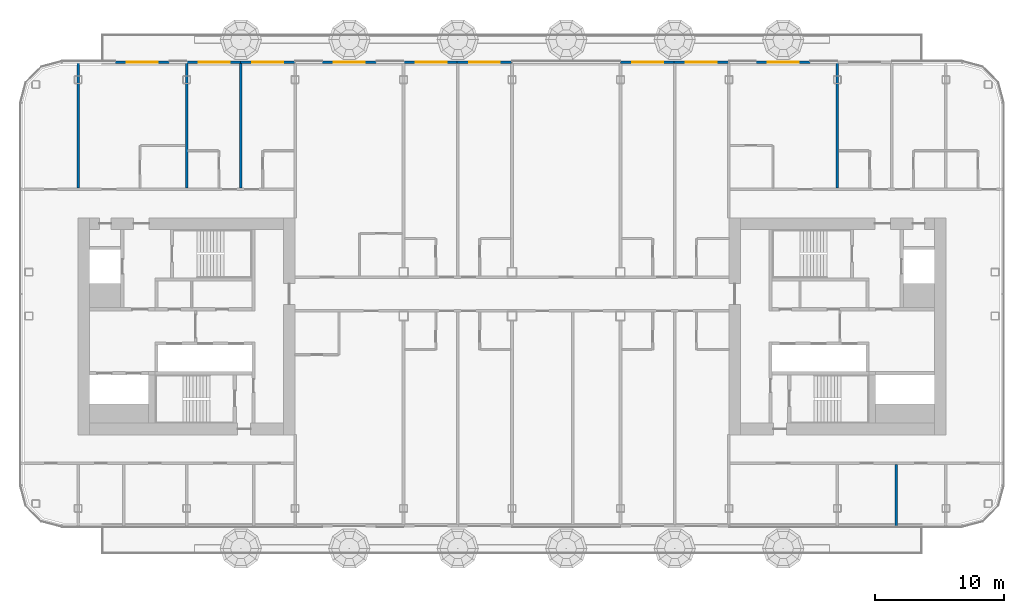
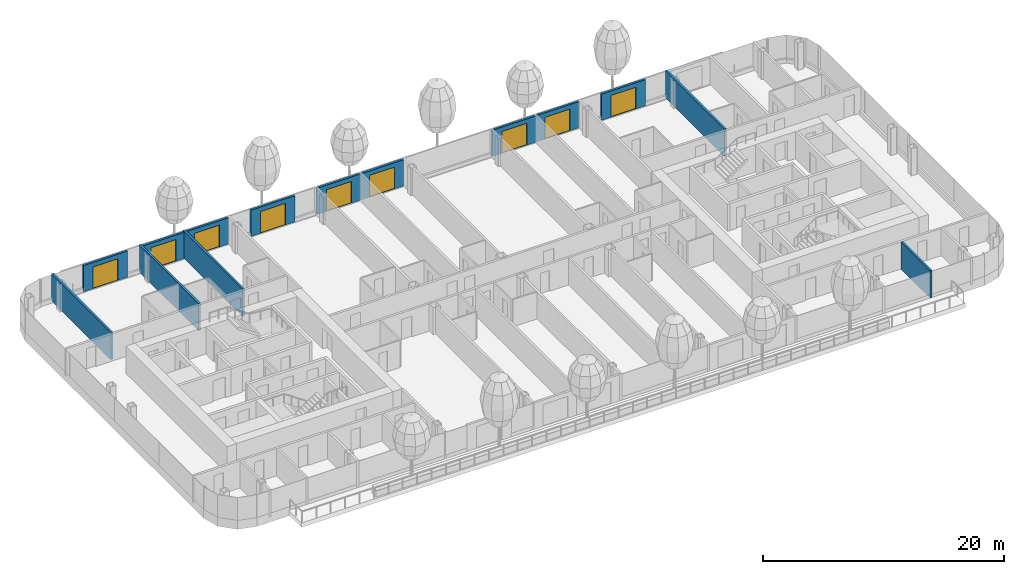
# One storey, part 14 of 28: 14 walls, 9 doors, 9 openings, 1 element without a shape of its own.
"""IFC4 building model written with IfcOpenShell, lengths in metres."""

from ifc_helpers import new_model, si_unit, direction, frame, frame_2d, origin, place, context, subcontext, project, spatial, rectangle, extrude, material, layer, layer_set, type_object, element, fill, aggregate, save


model = new_model("IFC4")

# Units and contexts
model_context = context("Model", 3, precision=1e-05, world=origin(), true_north=direction((0.0, 1.0)))
body_context = subcontext(model_context, "Body", "Model", "MODEL_VIEW")
ifc_project = project(units=[si_unit("LENGTHUNIT", "METRE"), si_unit("AREAUNIT", "SQUARE_METRE"), si_unit("VOLUMEUNIT", "CUBIC_METRE"), si_unit("PLANEANGLEUNIT", "RADIAN"), si_unit("MASSUNIT", "GRAM", prefix="KILO")], contexts=[model_context])

# Site, building, storey
site_placement = place(None, origin())
site = spatial("IfcSite", under=ifc_project, at=site_placement, CompositionType="ELEMENT")
building_placement = place(site_placement, origin())
building = spatial("IfcBuilding", under=site, at=building_placement, Name="Hakoniwa Tower and Hamabe Station Hall", CompositionType="ELEMENT")
storey_placement = place(building_placement, frame((0.0, 0.0, 193.0)))
storey = spatial("IfcBuildingStorey", under=building, at=storey_placement, Name="L54", CompositionType="ELEMENT", Elevation=193.0)

# Curtain wall, walls, openings, doors
ifc_material_1 = material(Name="Dark low-e laminated glass", Category="glass")
ifc_layer_1 = layer(ifc_material_1, 0.199951171875)
ifc_layer_set_1 = layer_set([ifc_layer_1], Name="CW-1 UNITISED GUEST")
curtain_wall_type = type_object("IfcCurtainWallType", Name="CW-1 UNITISED GUEST", PredefinedType="NOTDEFINED", material=ifc_layer_set_1)
curtain_wall_placement = place(storey_placement, origin())
curtain_wall = element("IfcCurtainWall", 1, at=curtain_wall_placement, inside=storey, type_object=curtain_wall_type, Name="CW-1 curtain wall", PredefinedType="NOTDEFINED")
ifc_material_2 = material(Name="Dark glass-faced aluminium panel", Category="aluminium")
ifc_layer_2 = layer(ifc_material_2, 0.199951171875)
ifc_layer_set_2 = layer_set([ifc_layer_2], Name="DOOR BAY WALL")
wall_type_1 = type_object("IfcWallType", Name="DOOR BAY WALL", PredefinedType="NOTDEFINED", material=ifc_layer_set_2)
wall_1_placement = place(storey_placement, frame((23.110107421875, 20.449951171875, 0.0), z_axis=(0.0, 0.0, 1.0), x_axis=(-1.0, 0.0, 0.0)))
wall_1 = element("IfcWall", 2, at=wall_1_placement, type_object=wall_type_1, Name="Door bay wall", PredefinedType="NOTDEFINED", context=body_context, shape_type="SweptSolid", body=[
    extrude(rectangle(XDim=4.22021484375, YDim=0.199951171875, at=frame_2d((2.110107421875, 0.0))), origin(), (0.0, 0.0, 1.0), 2.64990234375),
])
opening_1_placement = place(wall_1_placement, frame((0.909912109375, 0.0, 0.0)))
opening_1 = element("IfcOpeningElement", 3, at=opening_1_placement, cuts=wall_1, Name="Opening BD-N03-11", PredefinedType="OPENING", context=body_context, shape_type="SweptSolid", body=[
    extrude(rectangle(XDim=2.39990234375, YDim=2.199951171875, at=frame_2d((1.199951171875, 1.10009765625))), frame((0.0, 0.10986328125, 0.0), z_axis=(0.0, -1.0, 0.0), x_axis=(1.0, 0.0, 0.0)), (0.0, 0.0, 1.0), 0.219970703125),
])
ifc_material_3 = material(Name="Dark low-e laminated glass", Category="glass")
door_type = type_object("IfcDoorType", Name="BALCONY SLIDING DOOR 2400X2200", OperationType="SLIDING_TO_LEFT", PredefinedType="DOOR", material=ifc_material_3)
door_1_placement = place(opening_1_placement, frame((2.39990234375, 0.0, 0.0), z_axis=(0.0, 0.0, 1.0), x_axis=(-1.0, 0.0, 0.0)))
door_1 = element("IfcDoor", 4, at=door_1_placement, inside=storey, type_object=door_type, Name="Balcony sliding door", OperationType="SLIDING_TO_LEFT", OverallHeight=2.199951171875, OverallWidth=2.39990234375, PredefinedType="DOOR", context=body_context, shape_type="SweptSolid", body=[
    extrude(rectangle(XDim=2.39990234375, YDim=2.199951171875, at=frame_2d((1.199951171875, 1.10009765625))), frame((0.0, 0.02490234375, 0.0), z_axis=(0.0, -1.0, 0.0), x_axis=(1.0, 0.0, 0.0)), (0.0, 0.0, 1.0), 0.050048828125),
])
fill(opening_1, door_1)
wall_2_placement = place(storey_placement, frame((16.780029296875, 20.449951171875, 0.0), z_axis=(0.0, 0.0, 1.0), x_axis=(-1.0, 0.0, 0.0)))
wall_2 = element("IfcWall", 5, at=wall_2_placement, type_object=wall_type_1, Name="Door bay wall", PredefinedType="NOTDEFINED", context=body_context, shape_type="SweptSolid", body=[
    extrude(rectangle(XDim=4.219970703125, YDim=0.199951171875, at=frame_2d((2.10986328125, 0.0))), origin(), (0.0, 0.0, 1.0), 2.64990234375),
])
opening_2_placement = place(wall_2_placement, frame((0.909912109375, 0.0, 0.0)))
opening_2 = element("IfcOpeningElement", 6, at=opening_2_placement, cuts=wall_2, Name="Opening BD-N03-5", PredefinedType="OPENING", context=body_context, shape_type="SweptSolid", body=[
    extrude(rectangle(XDim=2.39990234375, YDim=2.199951171875, at=frame_2d((1.199951171875, 1.10009765625))), frame((0.0, 0.10986328125, 0.0), z_axis=(0.0, -1.0, 0.0), x_axis=(1.0, 0.0, 0.0)), (0.0, 0.0, 1.0), 0.219970703125),
])
door_2_placement = place(opening_2_placement, frame((2.39990234375, 0.0, 0.0), z_axis=(0.0, 0.0, 1.0), x_axis=(-1.0, 0.0, 0.0)))
door_2 = element("IfcDoor", 7, at=door_2_placement, inside=storey, type_object=door_type, Name="Balcony sliding door", OperationType="SLIDING_TO_LEFT", OverallHeight=2.199951171875, OverallWidth=2.39990234375, PredefinedType="DOOR", context=body_context, shape_type="SweptSolid", body=[
    extrude(rectangle(XDim=2.39990234375, YDim=2.199951171875, at=frame_2d((1.199951171875, 1.10009765625))), frame((0.0, 0.02490234375, 0.0), z_axis=(0.0, -1.0, 0.0), x_axis=(1.0, 0.0, 0.0)), (0.0, 0.0, 1.0), 0.050048828125),
])
fill(opening_2, door_2)
wall_3_placement = place(storey_placement, frame((12.639892578125, 20.449951171875, 0.0), z_axis=(0.0, 0.0, 1.0), x_axis=(-1.0, 0.0, 0.0)))
wall_3 = element("IfcWall", 8, at=wall_3_placement, type_object=wall_type_1, Name="Door bay wall", PredefinedType="NOTDEFINED", context=body_context, shape_type="SweptSolid", body=[
    extrude(rectangle(XDim=4.219970703125, YDim=0.199951171875, at=frame_2d((2.10986328125, 0.0))), origin(), (0.0, 0.0, 1.0), 2.64990234375),
])
opening_3_placement = place(wall_3_placement, frame((0.909912109375, 0.0, 0.0)))
opening_3 = element("IfcOpeningElement", 9, at=opening_3_placement, cuts=wall_3, Name="Opening BD-N03-4", PredefinedType="OPENING", context=body_context, shape_type="SweptSolid", body=[
    extrude(rectangle(XDim=2.39990234375, YDim=2.199951171875, at=frame_2d((1.199951171875, 1.10009765625))), frame((0.0, 0.10986328125, 0.0), z_axis=(0.0, -1.0, 0.0), x_axis=(1.0, 0.0, 0.0)), (0.0, 0.0, 1.0), 0.219970703125),
])
door_3_placement = place(opening_3_placement, frame((2.39990234375, 0.0, 0.0), z_axis=(0.0, 0.0, 1.0), x_axis=(-1.0, 0.0, 0.0)))
door_3 = element("IfcDoor", 10, at=door_3_placement, inside=storey, type_object=door_type, Name="Balcony sliding door", OperationType="SLIDING_TO_LEFT", OverallHeight=2.199951171875, OverallWidth=2.39990234375, PredefinedType="DOOR", context=body_context, shape_type="SweptSolid", body=[
    extrude(rectangle(XDim=2.39990234375, YDim=2.199951171875, at=frame_2d((1.199951171875, 1.10009765625))), frame((0.0, 0.02490234375, 0.0), z_axis=(0.0, -1.0, 0.0), x_axis=(1.0, 0.0, 0.0)), (0.0, 0.0, 1.0), 0.050048828125),
])
fill(opening_3, door_3)
wall_4_placement = place(storey_placement, frame((-0.02001953125, 20.449951171875, 0.0), z_axis=(0.0, 0.0, 1.0), x_axis=(-1.0, 0.0, 0.0)))
wall_4 = element("IfcWall", 11, at=wall_4_placement, type_object=wall_type_1, Name="Door bay wall", PredefinedType="NOTDEFINED", context=body_context, shape_type="SweptSolid", body=[
    extrude(rectangle(XDim=4.219970703125, YDim=0.199951171875, at=frame_2d((2.10986328125, 0.0))), origin(), (0.0, 0.0, 1.0), 2.64990234375),
])
opening_4_placement = place(wall_4_placement, frame((0.909912109375, 0.0, 0.0)))
opening_4 = element("IfcOpeningElement", 12, at=opening_4_placement, cuts=wall_4, Name="Opening BD-N03-3", PredefinedType="OPENING", context=body_context, shape_type="SweptSolid", body=[
    extrude(rectangle(XDim=2.39990234375, YDim=2.199951171875, at=frame_2d((1.199951171875, 1.10009765625))), frame((0.0, 0.10986328125, 0.0), z_axis=(0.0, -1.0, 0.0), x_axis=(1.0, 0.0, 0.0)), (0.0, 0.0, 1.0), 0.219970703125),
])
door_4_placement = place(opening_4_placement, frame((2.39990234375, 0.0, 0.0), z_axis=(0.0, 0.0, 1.0), x_axis=(-1.0, 0.0, 0.0)))
door_4 = element("IfcDoor", 13, at=door_4_placement, inside=storey, type_object=door_type, Name="Balcony sliding door", OperationType="SLIDING_TO_LEFT", OverallHeight=2.199951171875, OverallWidth=2.39990234375, PredefinedType="DOOR", context=body_context, shape_type="SweptSolid", body=[
    extrude(rectangle(XDim=2.39990234375, YDim=2.199951171875, at=frame_2d((1.199951171875, 1.10009765625))), frame((0.0, 0.02490234375, 0.0), z_axis=(0.0, -1.0, 0.0), x_axis=(1.0, 0.0, 0.0)), (0.0, 0.0, 1.0), 0.050048828125),
])
fill(opening_4, door_4)
wall_5_placement = place(storey_placement, frame((-4.159912109375, 20.449951171875, 0.0), z_axis=(0.0, 0.0, 1.0), x_axis=(-1.0, 0.0, 0.0)))
wall_5 = element("IfcWall", 14, at=wall_5_placement, type_object=wall_type_1, Name="Door bay wall", PredefinedType="NOTDEFINED", context=body_context, shape_type="SweptSolid", body=[
    extrude(rectangle(XDim=4.219970703125, YDim=0.199951171875, at=frame_2d((2.10986328125, 0.0))), origin(), (0.0, 0.0, 1.0), 2.64990234375),
])
opening_5_placement = place(wall_5_placement, frame((0.909912109375, 0.0, 0.0)))
opening_5 = element("IfcOpeningElement", 15, at=opening_5_placement, cuts=wall_5, Name="Opening BD-N03-2", PredefinedType="OPENING", context=body_context, shape_type="SweptSolid", body=[
    extrude(rectangle(XDim=2.39990234375, YDim=2.199951171875, at=frame_2d((1.199951171875, 1.10009765625))), frame((0.0, 0.10986328125, 0.0), z_axis=(0.0, -1.0, 0.0), x_axis=(1.0, 0.0, 0.0)), (0.0, 0.0, 1.0), 0.219970703125),
])
door_5_placement = place(opening_5_placement, frame((2.39990234375, 0.0, 0.0), z_axis=(0.0, 0.0, 1.0), x_axis=(-1.0, 0.0, 0.0)))
door_5 = element("IfcDoor", 16, at=door_5_placement, inside=storey, type_object=door_type, Name="Balcony sliding door", OperationType="SLIDING_TO_LEFT", OverallHeight=2.199951171875, OverallWidth=2.39990234375, PredefinedType="DOOR", context=body_context, shape_type="SweptSolid", body=[
    extrude(rectangle(XDim=2.39990234375, YDim=2.199951171875, at=frame_2d((1.199951171875, 1.10009765625))), frame((0.0, 0.02490234375, 0.0), z_axis=(0.0, -1.0, 0.0), x_axis=(1.0, 0.0, 0.0)), (0.0, 0.0, 1.0), 0.050048828125),
])
fill(opening_5, door_5)
wall_6_placement = place(storey_placement, frame((-10.489990234375, 20.449951171875, 0.0), z_axis=(0.0, 0.0, 1.0), x_axis=(-1.0, 0.0, 0.0)))
wall_6 = element("IfcWall", 17, at=wall_6_placement, type_object=wall_type_1, Name="Door bay wall", PredefinedType="NOTDEFINED", context=body_context, shape_type="SweptSolid", body=[
    extrude(rectangle(XDim=4.219970703125, YDim=0.199951171875, at=frame_2d((2.10986328125, 0.0))), origin(), (0.0, 0.0, 1.0), 2.64990234375),
])
opening_6_placement = place(wall_6_placement, frame((0.909912109375, 0.0, 0.0)))
opening_6 = element("IfcOpeningElement", 18, at=opening_6_placement, cuts=wall_6, Name="Opening BD-N03-1", PredefinedType="OPENING", context=body_context, shape_type="SweptSolid", body=[
    extrude(rectangle(XDim=2.39990234375, YDim=2.199951171875, at=frame_2d((1.199951171875, 1.10009765625))), frame((0.0, 0.10986328125, 0.0), z_axis=(0.0, -1.0, 0.0), x_axis=(1.0, 0.0, 0.0)), (0.0, 0.0, 1.0), 0.219970703125),
])
door_6_placement = place(opening_6_placement, frame((2.39990234375, 0.0, 0.0), z_axis=(0.0, 0.0, 1.0), x_axis=(-1.0, 0.0, 0.0)))
door_6 = element("IfcDoor", 19, at=door_6_placement, inside=storey, type_object=door_type, Name="Balcony sliding door", OperationType="SLIDING_TO_LEFT", OverallHeight=2.199951171875, OverallWidth=2.39990234375, PredefinedType="DOOR", context=body_context, shape_type="SweptSolid", body=[
    extrude(rectangle(XDim=2.39990234375, YDim=2.199951171875, at=frame_2d((1.199951171875, 1.10009765625))), frame((0.0, 0.02490234375, 0.0), z_axis=(0.0, -1.0, 0.0), x_axis=(1.0, 0.0, 0.0)), (0.0, 0.0, 1.0), 0.050048828125),
])
fill(opening_6, door_6)
wall_7_placement = place(storey_placement, frame((-16.820068359375, 20.449951171875, 0.0), z_axis=(0.0, 0.0, 1.0), x_axis=(-1.0, 0.0, 0.0)))
wall_7 = element("IfcWall", 20, at=wall_7_placement, type_object=wall_type_1, Name="Door bay wall", PredefinedType="NOTDEFINED", context=body_context, shape_type="SweptSolid", body=[
    extrude(rectangle(XDim=4.219970703125, YDim=0.199951171875, at=frame_2d((2.10986328125, 0.0))), origin(), (0.0, 0.0, 1.0), 2.64990234375),
])
opening_7_placement = place(wall_7_placement, frame((0.909912109375, 0.0, 0.0)))
opening_7 = element("IfcOpeningElement", 21, at=opening_7_placement, cuts=wall_7, Name="Opening BD-N03-15", PredefinedType="OPENING", context=body_context, shape_type="SweptSolid", body=[
    extrude(rectangle(XDim=2.39990234375, YDim=2.199951171875, at=frame_2d((1.199951171875, 1.10009765625))), frame((0.0, 0.10986328125, 0.0), z_axis=(0.0, -1.0, 0.0), x_axis=(1.0, 0.0, 0.0)), (0.0, 0.0, 1.0), 0.219970703125),
])
door_7_placement = place(opening_7_placement, frame((2.39990234375, 0.0, 0.0), z_axis=(0.0, 0.0, 1.0), x_axis=(-1.0, 0.0, 0.0)))
door_7 = element("IfcDoor", 22, at=door_7_placement, inside=storey, type_object=door_type, Name="Balcony sliding door", OperationType="SLIDING_TO_LEFT", OverallHeight=2.199951171875, OverallWidth=2.39990234375, PredefinedType="DOOR", context=body_context, shape_type="SweptSolid", body=[
    extrude(rectangle(XDim=2.39990234375, YDim=2.199951171875, at=frame_2d((1.199951171875, 1.10009765625))), frame((0.0, 0.02490234375, 0.0), z_axis=(0.0, -1.0, 0.0), x_axis=(1.0, 0.0, 0.0)), (0.0, 0.0, 1.0), 0.050048828125),
])
fill(opening_7, door_7)
wall_8_placement = place(storey_placement, frame((-20.9599609375, 20.449951171875, 0.0), z_axis=(0.0, 0.0, 1.0), x_axis=(-1.0, 0.0, 0.0)))
wall_8 = element("IfcWall", 23, at=wall_8_placement, type_object=wall_type_1, Name="Door bay wall", PredefinedType="NOTDEFINED", context=body_context, shape_type="SweptSolid", body=[
    extrude(rectangle(XDim=4.219970703125, YDim=0.199951171875, at=frame_2d((2.10986328125, 0.0))), origin(), (0.0, 0.0, 1.0), 2.64990234375),
])
opening_8_placement = place(wall_8_placement, frame((0.909912109375, 0.0, 0.0)))
opening_8 = element("IfcOpeningElement", 24, at=opening_8_placement, cuts=wall_8, Name="Opening BD-N03-14", PredefinedType="OPENING", context=body_context, shape_type="SweptSolid", body=[
    extrude(rectangle(XDim=2.39990234375, YDim=2.199951171875, at=frame_2d((1.199951171875, 1.10009765625))), frame((0.0, 0.10986328125, 0.0), z_axis=(0.0, -1.0, 0.0), x_axis=(1.0, 0.0, 0.0)), (0.0, 0.0, 1.0), 0.219970703125),
])
door_8_placement = place(opening_8_placement, frame((2.39990234375, 0.0, 0.0), z_axis=(0.0, 0.0, 1.0), x_axis=(-1.0, 0.0, 0.0)))
door_8 = element("IfcDoor", 25, at=door_8_placement, inside=storey, type_object=door_type, Name="Balcony sliding door", OperationType="SLIDING_TO_LEFT", OverallHeight=2.199951171875, OverallWidth=2.39990234375, PredefinedType="DOOR", context=body_context, shape_type="SweptSolid", body=[
    extrude(rectangle(XDim=2.39990234375, YDim=2.199951171875, at=frame_2d((1.199951171875, 1.10009765625))), frame((0.0, 0.02490234375, 0.0), z_axis=(0.0, -1.0, 0.0), x_axis=(1.0, 0.0, 0.0)), (0.0, 0.0, 1.0), 0.050048828125),
])
fill(opening_8, door_8)
wall_9_placement = place(storey_placement, frame((-26.514892578125, 20.449951171875, 0.0), z_axis=(0.0, 0.0, 1.0), x_axis=(-1.0, 0.0, 0.0)))
wall_9 = element("IfcWall", 26, at=wall_9_placement, type_object=wall_type_1, Name="Door bay wall", PredefinedType="NOTDEFINED", context=body_context, shape_type="SweptSolid", body=[
    extrude(rectangle(XDim=4.22021484375, YDim=0.199951171875, at=frame_2d((2.110107421875, 0.0))), origin(), (0.0, 0.0, 1.0), 2.64990234375),
])
opening_9_placement = place(wall_9_placement, frame((0.909912109375, 0.0, 0.0)))
opening_9 = element("IfcOpeningElement", 27, at=opening_9_placement, cuts=wall_9, Name="Opening BD-N03-13", PredefinedType="OPENING", context=body_context, shape_type="SweptSolid", body=[
    extrude(rectangle(XDim=2.39990234375, YDim=2.199951171875, at=frame_2d((1.199951171875, 1.10009765625))), frame((0.0, 0.10986328125, 0.0), z_axis=(0.0, -1.0, 0.0), x_axis=(1.0, 0.0, 0.0)), (0.0, 0.0, 1.0), 0.219970703125),
])
door_9_placement = place(opening_9_placement, frame((2.39990234375, 0.0, 0.0), z_axis=(0.0, 0.0, 1.0), x_axis=(-1.0, 0.0, 0.0)))
door_9 = element("IfcDoor", 28, at=door_9_placement, inside=storey, type_object=door_type, Name="Balcony sliding door", OperationType="SLIDING_TO_LEFT", OverallHeight=2.199951171875, OverallWidth=2.39990234375, PredefinedType="DOOR", context=body_context, shape_type="SweptSolid", body=[
    extrude(rectangle(XDim=2.39990234375, YDim=2.199951171875, at=frame_2d((1.199951171875, 1.10009765625))), frame((0.0, 0.02490234375, 0.0), z_axis=(0.0, -1.0, 0.0), x_axis=(1.0, 0.0, 0.0)), (0.0, 0.0, 1.0), 0.050048828125),
])
fill(opening_9, door_9)
aggregate(curtain_wall, [wall_1, wall_2, wall_3, wall_4, wall_5, wall_6, wall_7, wall_8, wall_9])

# Walls
ifc_material_4 = material(Name="Fire-rated gypsum board partition", Category="gypsum")
ifc_layer_3 = layer(ifc_material_4, 0.199951171875)
ifc_layer_set_3 = layer_set([ifc_layer_3], Name="Party Wall 200")
wall_type_2 = type_object("IfcWallType", Name="Party Wall 200", PredefinedType="PARTITIONING", material=ifc_layer_set_3)
for number, where, z_axis, x_axis, name in (
    (29, (-33.60009765625, 10.699951171875, 0.0), (0.0, 0.0, 1.0), (0.0, 1.0, 0.0), "GW-L54-024"),
    (30, (-25.199951171875, 10.699951171875, 0.0), (0.0, 0.0, 1.0), (0.0, 1.0, 0.0), "GW-L54-028"),
    (31, (-21.0, 10.699951171875, 0.0), (0.0, 0.0, 1.0), (0.0, 1.0, 0.0), "GW-L54-030"),
    (32, (25.199951171875, 10.699951171875, 0.0), (0.0, 0.0, 1.0), (0.0, 1.0, 0.0), "GW-L54-060"),
):
    element("IfcWall", number, at=place(storey_placement, frame(where, z_axis=z_axis, x_axis=x_axis)), inside=storey, type_object=wall_type_2, Name=name, PredefinedType="PARTITIONING", context=body_context, shape_type="SweptSolid", body=[
        extrude(rectangle(XDim=9.85009765625, YDim=0.199951171875, at=frame_2d((4.925048828125, 0.0))), origin(), (0.0, 0.0, 1.0), 2.75),
    ])
wall_10_placement = place(storey_placement, frame((29.739990234375, -15.550048828125, 0.0), z_axis=(0.0, 0.0, 1.0), x_axis=(0.0, 1.0, 0.0)))
element("IfcWall", 33, at=wall_10_placement, inside=storey, type_object=wall_type_2, Name="GW-L54-063", PredefinedType="PARTITIONING", context=body_context, shape_type="SweptSolid", body=[
    extrude(rectangle(XDim=4.85009765625, YDim=0.199951171875, at=frame_2d((2.425048828125, 0.0))), origin(), (0.0, 0.0, 1.0), 2.75),
])

save(model, "model.ifc")
